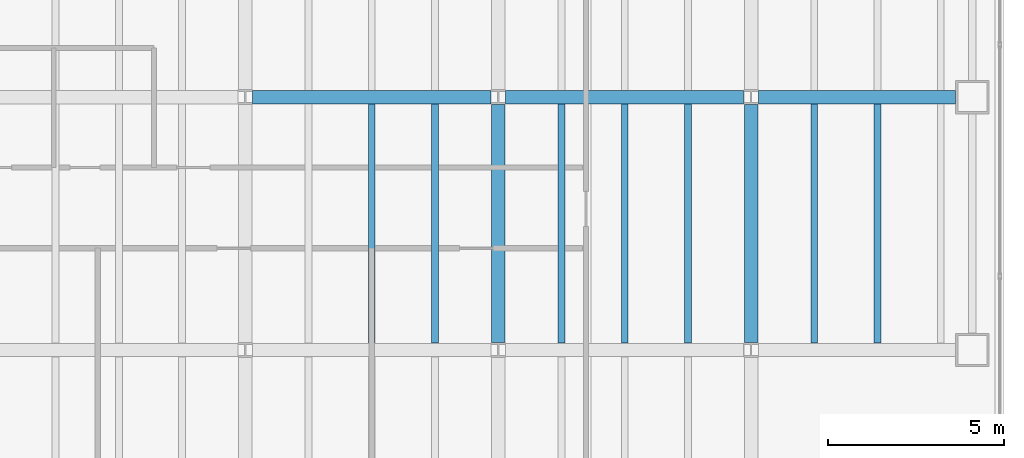
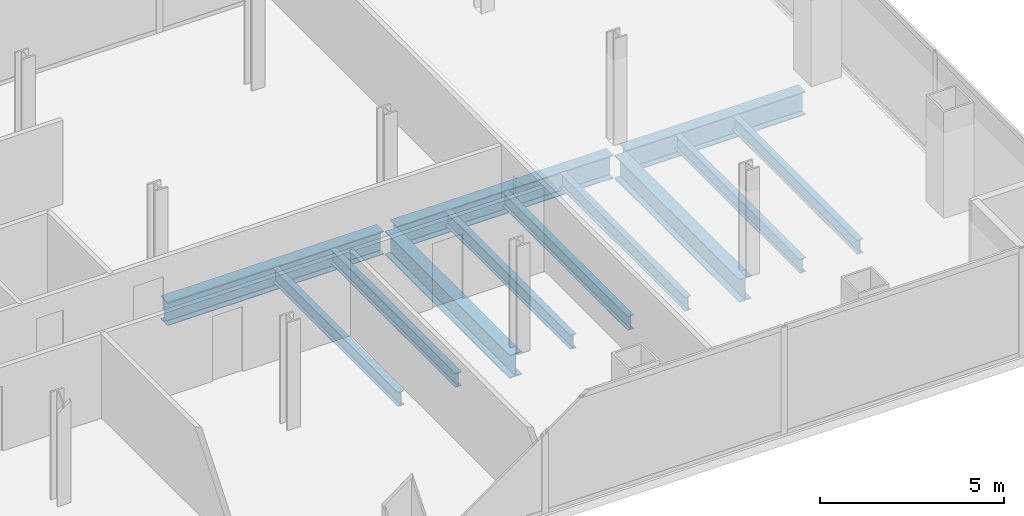
# One storey, part 9 of 24: 12 beams.
"""IFC4 building model written with IfcOpenShell, lengths in metres."""

from ifc_helpers import new_model, si_unit, direction, frame, origin, origin_2d, place, context, subcontext, project, spatial, i_section, extrude, material, material_profile, profile_set, type_object, element, save


model = new_model("IFC4")

# Units and contexts
model_context = context("Model", 3, precision=1e-05, world=origin(), true_north=direction((0.0, 1.0)))
body_context = subcontext(model_context, "Body", "Model", "MODEL_VIEW")
ifc_project = project(units=[si_unit("LENGTHUNIT", "METRE"), si_unit("AREAUNIT", "SQUARE_METRE"), si_unit("VOLUMEUNIT", "CUBIC_METRE"), si_unit("PLANEANGLEUNIT", "RADIAN"), si_unit("MASSUNIT", "GRAM", prefix="KILO")], contexts=[model_context])

# Site, building, storey
site_placement = place(None, origin())
site = spatial("IfcSite", under=ifc_project, at=site_placement, CompositionType="ELEMENT")
building_placement = place(site_placement, origin())
building = spatial("IfcBuilding", under=site, at=building_placement, Name="Cobrela Telecom Tower", CompositionType="ELEMENT")
storey_placement = place(building_placement, frame((0.0, 0.0, 85.050048828125)))
storey = spatial("IfcBuildingStorey", under=building, at=storey_placement, Name="L21", CompositionType="ELEMENT", Elevation=85.050048828125)

# Beams
ifc_material = material(Name="Steel ASTM A992 Grade 50", Category="steel")
ifc_material_profile_1 = material_profile(ifc_material, i_section(OverallWidth=0.381103515625, OverallDepth=0.77197265625, WebThickness=0.0166015625, FlangeThickness=0.027099609375, FilletRadius=0.01904296875, at=origin_2d()), Name="W30X173")
ifc_profile_set_1 = profile_set([ifc_material_profile_1], Name="Steel ASTM A992 Grade 50")
beam_type_1 = type_object("IfcBeamType", Name="BM-GIRD-04", PredefinedType="USERDEFINED", material=ifc_profile_set_1)
for number, where, z_axis, x_axis, name in (
    (1, (29.009521484375, 14.39990234375, -0.666015625), (1.0, 0.0, 0.0), (0.0, 1.0, 0.0), "L21 Primary Girder X15"),
    (2, (36.20947265625, 14.39990234375, -0.666015625), (1.0, 0.0, 0.0), (0.0, 1.0, 0.0), "L21 Primary Girder X16"),
):
    element("IfcBeam", number, at=place(storey_placement, frame(where, z_axis=z_axis, x_axis=x_axis)), inside=storey, type_object=beam_type_1, Name=name, ObjectType="GIRDER", PredefinedType="USERDEFINED", context=body_context, shape_type="SweptSolid", body=[
        extrude(i_section(OverallWidth=0.381103515625, OverallDepth=0.77197265625, WebThickness=0.0166015625, FlangeThickness=0.027099609375, FilletRadius=0.01904296875, at=origin_2d()), origin(), (0.0, 0.0, 1.0), 6.781005859375),
    ])
beam_placement = place(storey_placement, frame((43.409423828125, 14.39990234375, -0.666015625), z_axis=(1.0, 0.0, 0.0), x_axis=(0.0, 1.0, 0.0)))
element("IfcBeam", 3, at=beam_placement, inside=storey, type_object=beam_type_1, Name="L21 Primary Girder X17", ObjectType="GIRDER", PredefinedType="USERDEFINED", context=body_context, shape_type="SweptSolid", body=[
    extrude(i_section(OverallWidth=0.381103515625, OverallDepth=0.77197265625, WebThickness=0.0166015625, FlangeThickness=0.027099609375, FilletRadius=0.01904296875, at=origin_2d()), origin(), (0.0, 0.0, 1.0), 5.610595703125),
])
for number, where, z_axis, x_axis, name in (
    (4, (36.0, 7.409423828125, -0.666015625), (0.0, 1.0, 0.0), (-1.0, 0.0, 0.0), "L21 Primary Girder Y51"),
    (5, (43.199951171875, 7.409423828125, -0.666015625), (0.0, 1.0, 0.0), (-1.0, 0.0, 0.0), "L21 Primary Girder Y54"),
):
    element("IfcBeam", number, at=place(storey_placement, frame(where, z_axis=z_axis, x_axis=x_axis)), inside=storey, type_object=beam_type_1, Name=name, ObjectType="GIRDER", PredefinedType="USERDEFINED", context=body_context, shape_type="SweptSolid", body=[
        extrude(i_section(OverallWidth=0.381103515625, OverallDepth=0.77197265625, WebThickness=0.0166015625, FlangeThickness=0.027099609375, FilletRadius=0.01904296875, at=origin_2d()), origin(), (0.0, 0.0, 1.0), 6.781005859375),
    ])
ifc_material_profile_2 = material_profile(ifc_material, i_section(OverallWidth=0.193115234375, OverallDepth=0.467041015625, WebThickness=0.011474609375, FlangeThickness=0.01904296875, FilletRadius=0.012939453125, at=origin_2d()), Name="W18X65")
ifc_profile_set_2 = profile_set([ifc_material_profile_2], Name="Steel ASTM A992 Grade 50")
beam_type_2 = type_object("IfcBeamType", Name="BM-JOIST-03", PredefinedType="JOIST", material=ifc_profile_set_2)
for number, where, z_axis, x_axis, name in (
    (6, (32.39990234375, 7.3955078125, -0.513427734375), (0.0, 1.0, 0.0), (-1.0, 0.0, 0.0), "L21 Secondary Composite Floor Beam J45"),
    (7, (34.199951171875, 7.3955078125, -0.513427734375), (0.0, 1.0, 0.0), (-1.0, 0.0, 0.0), "L21 Secondary Composite Floor Beam J48"),
    (8, (37.800048828125, 7.3955078125, -0.513427734375), (0.0, 1.0, 0.0), (-1.0, 0.0, 0.0), "L21 Secondary Composite Floor Beam J51"),
    (9, (39.60009765625, 7.3955078125, -0.513427734375), (0.0, 1.0, 0.0), (-1.0, 0.0, 0.0), "L21 Secondary Composite Floor Beam J54"),
    (10, (41.39990234375, 7.3955078125, -0.513427734375), (0.0, 1.0, 0.0), (-1.0, 0.0, 0.0), "L21 Secondary Composite Floor Beam J57"),
    (11, (45.0, 7.3955078125, -0.513427734375), (0.0, 1.0, 0.0), (-1.0, 0.0, 0.0), "L21 Secondary Composite Floor Beam J59"),
    (12, (46.800048828125, 7.3955078125, -0.513427734375), (0.0, 1.0, 0.0), (-1.0, 0.0, 0.0), "L21 Secondary Composite Floor Beam J61"),
):
    element("IfcBeam", number, at=place(storey_placement, frame(where, z_axis=z_axis, x_axis=x_axis)), inside=storey, type_object=beam_type_2, Name=name, PredefinedType="JOIST", context=body_context, shape_type="SweptSolid", body=[
        extrude(i_section(OverallWidth=0.193115234375, OverallDepth=0.467041015625, WebThickness=0.011474609375, FlangeThickness=0.01904296875, FilletRadius=0.012939453125, at=origin_2d()), origin(), (0.0, 0.0, 1.0), 6.80908203125),
    ])

save(model, "model.ifc")
